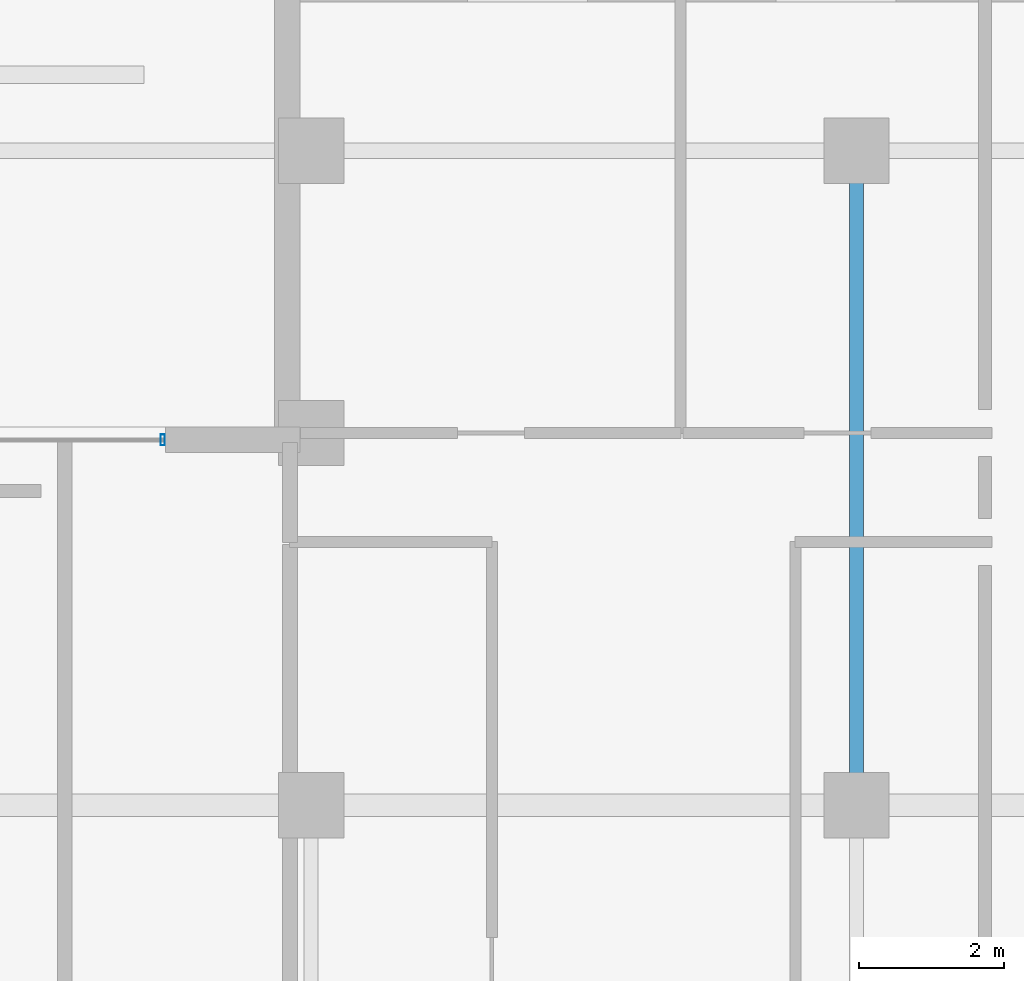
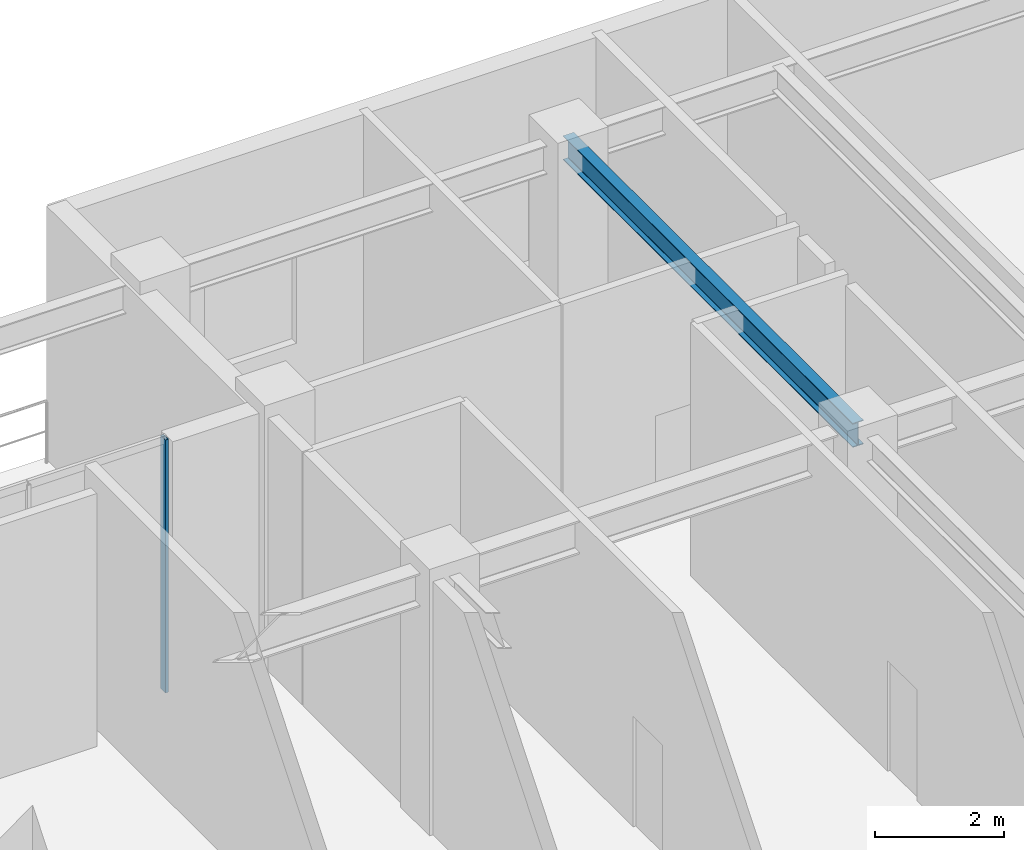
# One storey, part 5 of 12: 1 beam, 1 member, 1 element without a shape of its own.
"""IFC4 building model written with IfcOpenShell, lengths in metres."""

from ifc_helpers import new_model, si_unit, direction, frame, origin, origin_2d, place, context, subcontext, project, spatial, hollow_rectangle, i_section, extrude, material, material_profile, profile_set, type_object, element, aggregate, save


model = new_model("IFC4")

# Units and contexts
model_context = context("Model", 3, precision=1e-05, world=origin(), true_north=direction((0.0, 1.0)))
body_context = subcontext(model_context, "Body", "Model", "MODEL_VIEW")
ifc_project = project(units=[si_unit("LENGTHUNIT", "METRE"), si_unit("AREAUNIT", "SQUARE_METRE"), si_unit("VOLUMEUNIT", "CUBIC_METRE"), si_unit("PLANEANGLEUNIT", "RADIAN"), si_unit("MASSUNIT", "GRAM", prefix="KILO")], contexts=[model_context])

# Site, building, storey
site_placement = place(None, origin())
site = spatial("IfcSite", under=ifc_project, at=site_placement, CompositionType="ELEMENT")
building_placement = place(site_placement, origin())
building = spatial("IfcBuilding", under=site, at=building_placement, Name="Ventersveld Concourse Tower", CompositionType="ELEMENT")
storey_placement = place(building_placement, frame((0.0, 0.0, 76.0)))
storey = spatial("IfcBuildingStorey", under=building, at=storey_placement, Name="L18", CompositionType="ELEMENT", Elevation=76.0)

# Beam
ifc_material_1 = material(Name="Structural steel S355J2", Category="steel")
ifc_material_profile_1 = material_profile(ifc_material_1, i_section(OverallWidth=0.19140625, OverallDepth=0.4599609375, WebThickness=0.010009765625, FlangeThickness=0.01611328125, FilletRadius=0.01025390625, at=origin_2d()), Name="UB 457x191x82")
ifc_profile_set_1 = profile_set([ifc_material_profile_1], Name="Structural steel S355J2")
beam_type = type_object("IfcBeamType", Name="BM-UB457H", PredefinedType="BEAM", material=ifc_profile_set_1)
beam_placement = place(storey_placement, frame((43.75, 35.0, 4.570068359375), z_axis=(0.0, 1.0, 0.0), x_axis=(-1.0, 0.0, 0.0)))
element("IfcBeam", 1, at=beam_placement, inside=storey, type_object=beam_type, Name="L18 N-S Composite Floor Beam North X=43.75", PredefinedType="BEAM", context=body_context, shape_type="SweptSolid", body=[
    extrude(i_section(OverallWidth=0.19140625, OverallDepth=0.4599609375, WebThickness=0.010009765625, FlangeThickness=0.01611328125, FilletRadius=0.01025390625, at=origin_2d()), origin(), (0.0, 0.0, 1.0), 9.0),
])

# Curtain wall, member
ifc_material_2 = material(Name="Anodised aluminium EN AW-6063-T6", Category="aluminium")
curtain_wall_type = type_object("IfcCurtainWallType", Name="CW-SG-4", PredefinedType="NOTDEFINED", material=ifc_material_2)
curtain_wall_placement = place(storey_placement, origin())
curtain_wall = element("IfcCurtainWall", 2, at=curtain_wall_placement, inside=storey, type_object=curtain_wall_type, Name="L18 L18 Sky Garden Recessed Curtain Wall", PredefinedType="NOTDEFINED")
ifc_material_profile_2 = material_profile(ifc_material_2, hollow_rectangle(XDim=0.06005859375, YDim=0.14990234375, WallThickness=0.00390625, at=origin_2d()), Name="ALU 150x60x4")
ifc_profile_set_2 = profile_set([ifc_material_profile_2], Name="Anodised aluminium EN AW-6063-T6")
member_type = type_object("IfcMemberType", Name="CWM-150x65", PredefinedType="MULLION", material=ifc_profile_set_2)
member_placement = place(storey_placement, frame((34.2099609375, 40.02490234375, 0.0), z_axis=(0.0, 0.0, 1.0), x_axis=(1.0, 0.0, 0.0)))
member = element("IfcMember", 3, at=member_placement, type_object=member_type, Name="CW-L18-SG-S2 Mullion 03", PredefinedType="MULLION", context=body_context, shape_type="SweptSolid", body=[
    extrude(hollow_rectangle(XDim=0.06005859375, YDim=0.14990234375, WallThickness=0.00390625, at=origin_2d()), origin(), (0.0, 0.0, 1.0), 4.800048828125),
])
aggregate(curtain_wall, [member])

save(model, "model.ifc")
